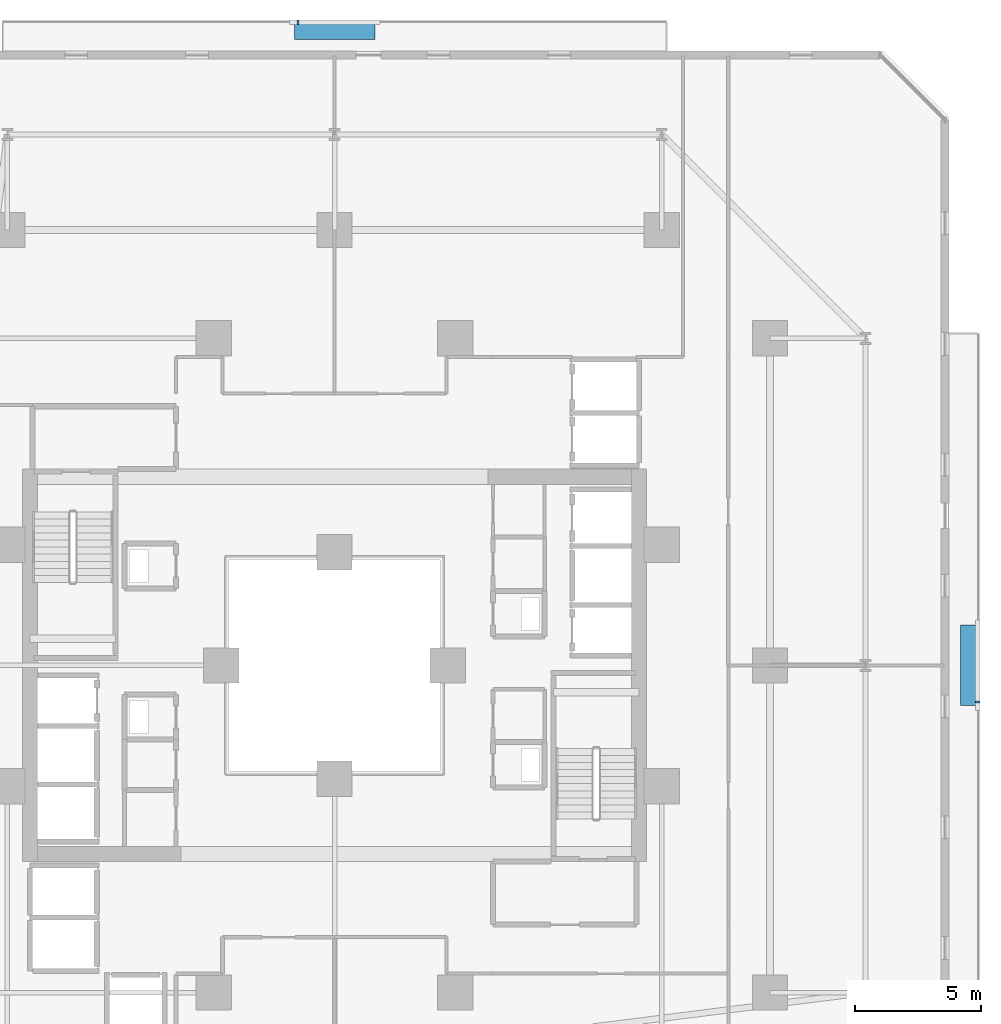
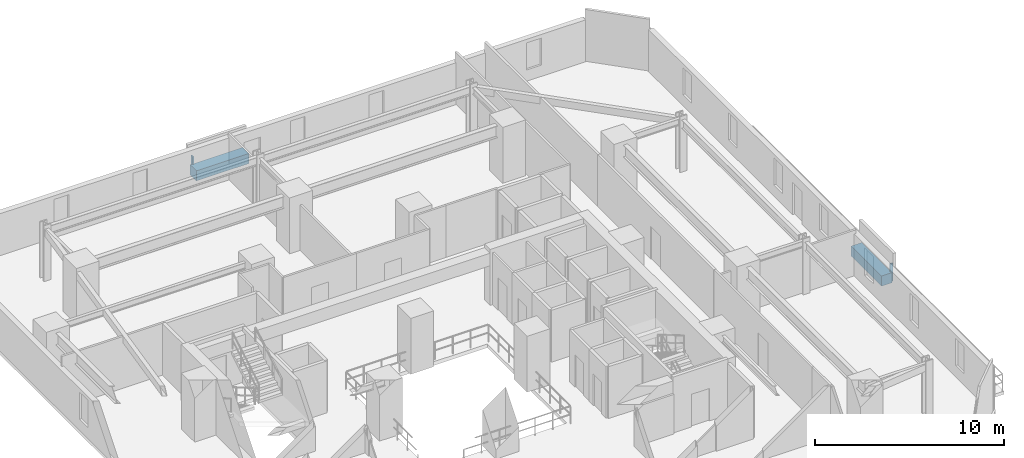
# One storey, part 30 of 34: 4 discrete accessories.
"""IFC4 building model written with IfcOpenShell, lengths in metres."""

from ifc_helpers import new_model, si_unit, direction, frame, origin, origin_2d, place, context, subcontext, project, spatial, rectangle, extrude, material, type_object, element, save


model = new_model("IFC4")

# Units and contexts
model_context = context("Model", 3, precision=1e-05, world=origin(), true_north=direction((0.0, 1.0)))
body_context = subcontext(model_context, "Body", "Model", "MODEL_VIEW")
ifc_project = project(units=[si_unit("LENGTHUNIT", "METRE"), si_unit("AREAUNIT", "SQUARE_METRE"), si_unit("VOLUMEUNIT", "CUBIC_METRE"), si_unit("PLANEANGLEUNIT", "RADIAN"), si_unit("MASSUNIT", "GRAM", prefix="KILO")], contexts=[model_context])

# Site, building, storey
site_placement = place(None, origin())
site = spatial("IfcSite", under=ifc_project, at=site_placement, CompositionType="ELEMENT")
building_placement = place(site_placement, origin())
building = spatial("IfcBuilding", under=site, at=building_placement, Name="Thornwick Lancets Civic Towers", CompositionType="ELEMENT")
storey_placement = place(building_placement, frame((0.0, 0.0, 53.699951171875)))
storey = spatial("IfcBuildingStorey", under=building, at=storey_placement, Name="L13", CompositionType="ELEMENT", Elevation=53.699951171875)

# Discrete accessories
ifc_material_1 = material(Name="Planted terracotta greenery planter", Category="masonry")
discrete_accessory_type_1 = type_object("IfcDiscreteAccessoryType", Name="ACC_PLANTER_BOX", PredefinedType="USERDEFINED", material=ifc_material_1)
discrete_accessory_1_placement = place(storey_placement, frame((113.699951171875, 27.0, 0.0), z_axis=(0.0, 0.0, 1.0), x_axis=(1.0, 0.0, 0.0)))
element("IfcDiscreteAccessory", 1, at=discrete_accessory_1_placement, inside=storey, type_object=discrete_accessory_type_1, Name="L13 Tower B Balcony Greenery Planter E", ObjectType="PLANTER", PredefinedType="USERDEFINED", context=body_context, shape_type="SweptSolid", body=[
    extrude(rectangle(XDim=0.64990234375, YDim=3.199951171875, at=origin_2d()), origin(), (0.0, 0.0, 1.0), 0.64990234375),
])
discrete_accessory_2_placement = place(storey_placement, frame((88.5, 52.199951171875, 0.0), z_axis=(0.0, 0.0, 1.0), x_axis=(1.0, 0.0, 0.0)))
element("IfcDiscreteAccessory", 2, at=discrete_accessory_2_placement, inside=storey, type_object=discrete_accessory_type_1, Name="L13 Tower B Balcony Greenery Planter N", ObjectType="PLANTER", PredefinedType="USERDEFINED", context=body_context, shape_type="SweptSolid", body=[
    extrude(rectangle(XDim=3.199951171875, YDim=0.64990234375, at=origin_2d()), origin(), (0.0, 0.0, 1.0), 0.64990234375),
])
ifc_material_2 = material(Name="Stainless steel S355", Category="steel")
discrete_accessory_type_2 = type_object("IfcDiscreteAccessoryType", Name="ACC_SCREEN_BRACKET", PredefinedType="BRACKET", material=ifc_material_2)
for number, where, z_axis, x_axis, name in (
    (3, (114.06005859375, 25.550048828125, 0.0), (0.0, 0.0, 1.0), (0.0, 1.0, 0.0), "L13 Tower B Balcony Screen Stanchion Bracket E-1"),
    (4, (87.050048828125, 52.56005859375, 0.0), (0.0, 0.0, 1.0), (1.0, 0.0, 0.0), "L13 Tower B Balcony Screen Stanchion Bracket N-1"),
):
    element("IfcDiscreteAccessory", number, at=place(storey_placement, frame(where, z_axis=z_axis, x_axis=x_axis)), inside=storey, type_object=discrete_accessory_type_2, Name=name, PredefinedType="BRACKET", context=body_context, shape_type="SweptSolid", body=[
        extrude(rectangle(XDim=0.080078125, YDim=0.179931640625, at=origin_2d()), origin(), (0.0, 0.0, 1.0), 1.14990234375),
    ])

save(model, "model.ifc")
